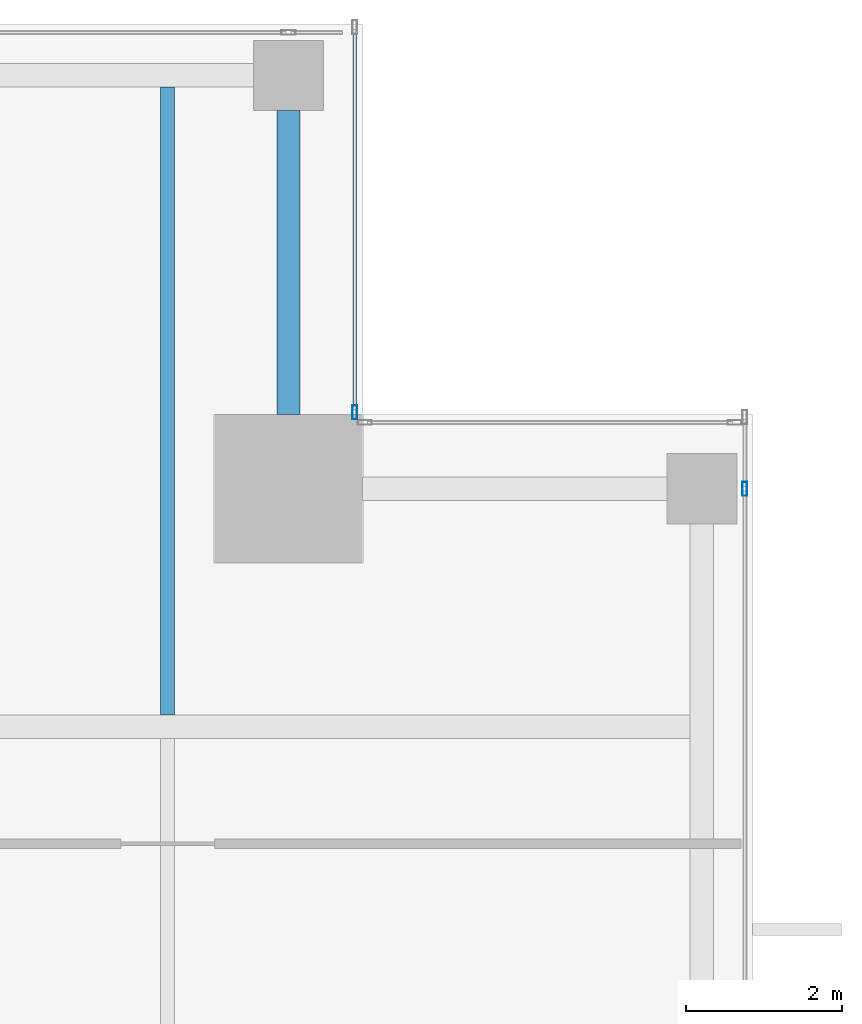
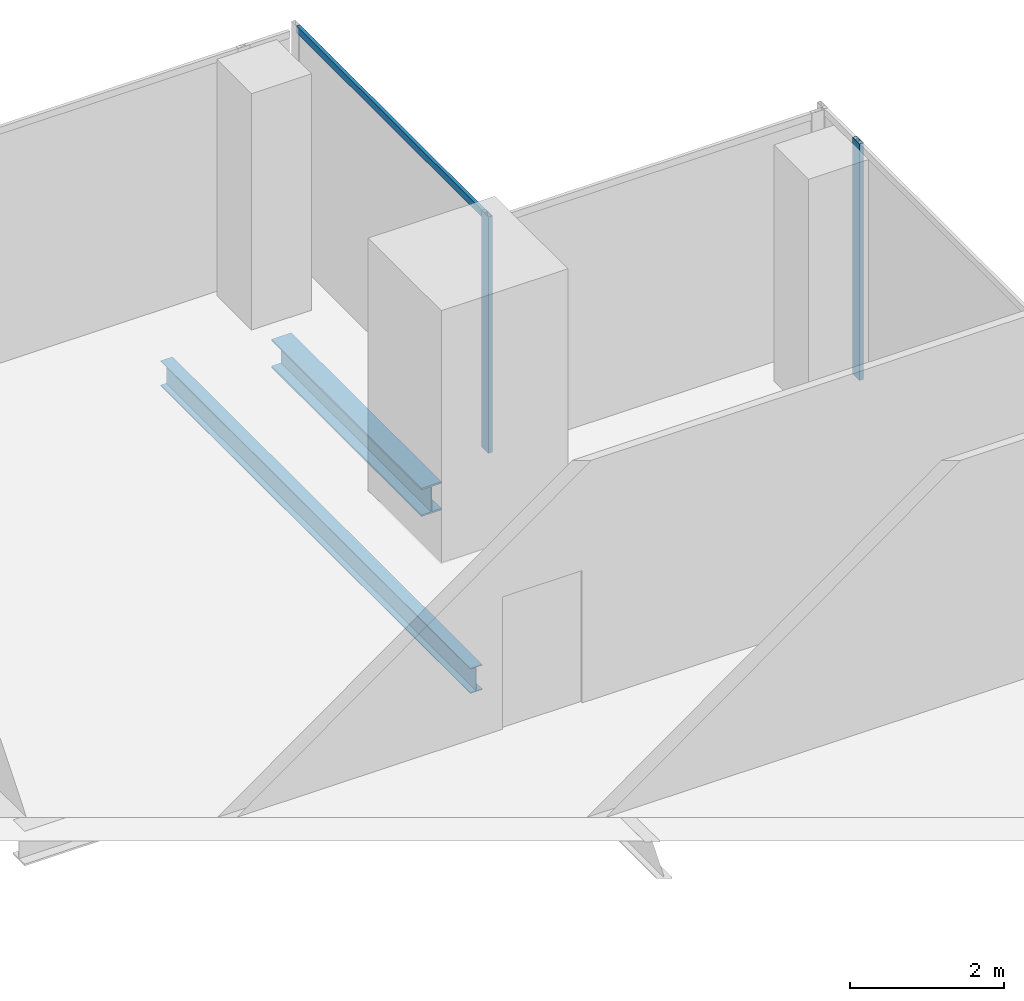
# One storey, part 23 of 36: 3 members, 2 beams, 2 elements without a shape of their own.
"""IFC4 building model written with IfcOpenShell, lengths in metres."""

from ifc_helpers import new_model, si_unit, direction, frame, origin, origin_2d, place, context, subcontext, project, spatial, hollow_rectangle, i_section, extrude, source, transform, mapped, material, material_profile, profile_set, type_object, element, aggregate, save


model = new_model("IFC4")

# Units and contexts
model_context = context("Model", 3, precision=1e-05, world=origin(), true_north=direction((0.0, 1.0)))
body_context = subcontext(model_context, "Body", "Model", "MODEL_VIEW")
ifc_project = project(units=[si_unit("LENGTHUNIT", "METRE"), si_unit("AREAUNIT", "SQUARE_METRE"), si_unit("VOLUMEUNIT", "CUBIC_METRE"), si_unit("PLANEANGLEUNIT", "RADIAN"), si_unit("MASSUNIT", "GRAM", prefix="KILO")], contexts=[model_context])

# Site, building, storey
site_placement = place(None, origin())
site = spatial("IfcSite", under=ifc_project, at=site_placement, CompositionType="ELEMENT")
building_placement = place(site_placement, origin())
building = spatial("IfcBuilding", under=site, at=building_placement, Name="Khomas Fold Tower", CompositionType="ELEMENT")
storey_placement = place(building_placement, frame((0.0, 0.0, 226.199951171875)))
storey = spatial("IfcBuildingStorey", under=building, at=storey_placement, Name="L50", CompositionType="ELEMENT", Elevation=226.199951171875)

# Beams
ifc_material_1 = material(Name="Steel S355", Category="steel")
ifc_material_profile_1 = material_profile(ifc_material_1, i_section(OverallWidth=0.300048828125, OverallDepth=0.449951171875, WebThickness=0.013916015625, FlangeThickness=0.02587890625, at=origin_2d()), Name="HE 450 B")
ifc_profile_set_1 = profile_set([ifc_material_profile_1], Name="Steel S355")
beam_type_1 = type_object("IfcBeamType", Name="HE 450 B spandrel SB4", PredefinedType="SPANDREL", material=ifc_profile_set_1)
shared_shape_1 = source(origin(), body_context, "Body", "SweptSolid", [
    extrude(i_section(OverallWidth=0.300048828125, OverallDepth=0.449951171875, WebThickness=0.013916015625, FlangeThickness=0.02587890625, at=origin_2d()), origin(), (0.0, 0.0, 1.0), 3.89990234375),
])
beam_1_placement = place(storey_placement, frame((43.550048828125, 44.5, -0.474853515625), z_axis=(0.0, 1.0, 0.0), x_axis=(-1.0, 0.0, 0.0)))
element("IfcBeam", 1, at=beam_1_placement, inside=storey, type_object=beam_type_1, Name="SB4", PredefinedType="SPANDREL", context=body_context, shape_type="MappedRepresentation", body=[
    mapped(shared_shape_1, transform((0.0, 0.0, 0.0))),
])
ifc_material_2 = material(Name="Steel S355", Category="steel")
ifc_material_profile_2 = material_profile(ifc_material_2, i_section(OverallWidth=0.179931640625, OverallDepth=0.39990234375, WebThickness=0.008544921875, FlangeThickness=0.013427734375, at=origin_2d()), Name="IPE 400")
ifc_profile_set_2 = profile_set([ifc_material_profile_2], Name="Steel S355")
beam_type_2 = type_object("IfcBeamType", Name="IPE 400 beam JB3", PredefinedType="BEAM", material=ifc_profile_set_2)
shared_shape_2 = source(origin(), body_context, "Body", "SweptSolid", [
    extrude(i_section(OverallWidth=0.179931640625, OverallDepth=0.39990234375, WebThickness=0.008544921875, FlangeThickness=0.013427734375, at=origin_2d()), origin(), (0.0, 0.0, 1.0), 8.050048828125),
])
beam_2_placement = place(storey_placement, frame((42.0, 40.64990234375, -0.449951171875), z_axis=(0.0, 1.0, 0.0), x_axis=(-1.0, 0.0, 0.0)))
element("IfcBeam", 2, at=beam_2_placement, inside=storey, type_object=beam_type_2, Name="JB3", PredefinedType="BEAM", context=body_context, shape_type="MappedRepresentation", body=[
    mapped(shared_shape_2, transform((0.0, 0.0, 0.0))),
])

# Curtain wall, member
ifc_material_3 = material(Name="Aluminium framed double glazing", Category="aluminium")
curtain_wall_type = type_object("IfcCurtainWallType", Name="SK-Unitised clear-glass wall, office floors CW2", PredefinedType="NOTDEFINED", material=ifc_material_3)
curtain_wall_1_placement = place(storey_placement, origin())
curtain_wall_1 = element("IfcCurtainWall", 3, at=curtain_wall_1_placement, inside=storey, type_object=curtain_wall_type, Name="CW2 run L50 03-1", PredefinedType="NOTDEFINED")
ifc_material_4 = material(Name="Aluminium", Category="aluminium")
ifc_material_profile_3 = material_profile(ifc_material_4, hollow_rectangle(XDim=0.06005859375, YDim=0.179931640625, WallThickness=0.00390625, at=origin_2d()), Name="SK-Unitised clear-glass wall, office floors mullion CW2-M")
ifc_profile_set_3 = profile_set([ifc_material_profile_3], Name="Aluminium")
member_type_1 = type_object("IfcMemberType", Name="SK-Unitised clear-glass wall, office floors mullion CW2-M", PredefinedType="MULLION", material=ifc_profile_set_3)
shared_shape_3 = source(origin(), body_context, "Body", "SweptSolid", [
    extrude(hollow_rectangle(XDim=0.06005859375, YDim=0.179931640625, WallThickness=0.00390625, at=origin_2d()), origin(), (0.0, 0.0, 1.0), 3.75),
])
member_1_placement = place(storey_placement, frame((49.39990234375, 43.550048828125, 0.0), z_axis=(0.0, 0.0, 1.0), x_axis=(-1.0, 0.0, 0.0)))
member_1 = element("IfcMember", 4, at=member_1_placement, type_object=member_type_1, Name="CW2 mullion 4", PredefinedType="MULLION", context=body_context, shape_type="MappedRepresentation", body=[
    mapped(shared_shape_3, transform((0.0, 0.0, 0.0))),
])
aggregate(curtain_wall_1, [member_1])

# Curtain wall, members
curtain_wall_2_placement = place(storey_placement, origin())
curtain_wall_2 = element("IfcCurtainWall", 5, at=curtain_wall_2_placement, inside=storey, type_object=curtain_wall_type, Name="CW2 corner return L50 05", PredefinedType="NOTDEFINED")
member_2_placement = place(storey_placement, frame((44.39990234375, 44.530029296875, 0.0), z_axis=(0.0, 0.0, 1.0), x_axis=(-1.0, 0.0, 0.0)))
member_2 = element("IfcMember", 6, at=member_2_placement, type_object=member_type_1, Name="CW2 mullion 1", PredefinedType="MULLION", context=body_context, shape_type="MappedRepresentation", body=[
    mapped(shared_shape_3, transform((0.0, 0.0, 0.0))),
])
ifc_material_5 = material(Name="Aluminium", Category="aluminium")
ifc_material_profile_4 = material_profile(ifc_material_5, hollow_rectangle(XDim=0.050048828125, YDim=0.110107421875, WallThickness=0.00390625, at=origin_2d()), Name="SK-Unitised clear-glass wall, office floors transom CW2-T")
ifc_profile_set_4 = profile_set([ifc_material_profile_4], Name="Aluminium")
member_type_2 = type_object("IfcMemberType", Name="SK-Unitised clear-glass wall, office floors transom CW2-T", PredefinedType="USERDEFINED", material=ifc_profile_set_4)
shared_shape_4 = source(origin(), body_context, "Body", "SweptSolid", [
    extrude(hollow_rectangle(XDim=0.050048828125, YDim=0.110107421875, WallThickness=0.00390625, at=origin_2d()), origin(), (0.0, 0.0, 1.0), 4.8798828125),
])
member_3_placement = place(storey_placement, frame((44.39990234375, 44.56005859375, 3.695068359375), z_axis=(0.0, 1.0, 0.0), x_axis=(-1.0, 0.0, 0.0)))
member_3 = element("IfcMember", 7, at=member_3_placement, type_object=member_type_2, Name="CW2 transom 1", ObjectType="TRANSOM", PredefinedType="USERDEFINED", context=body_context, shape_type="MappedRepresentation", body=[
    mapped(shared_shape_4, transform((0.0, 0.0, 0.0))),
])
aggregate(curtain_wall_2, [member_2, member_3])

save(model, "model.ifc")
